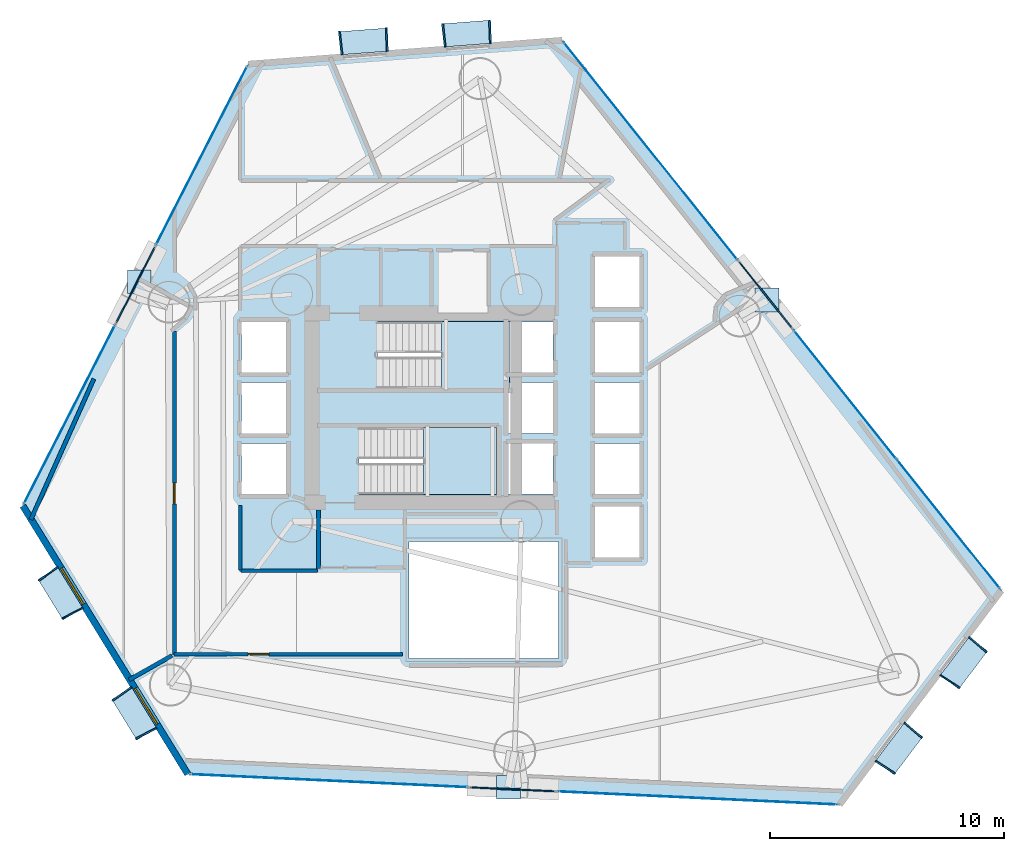
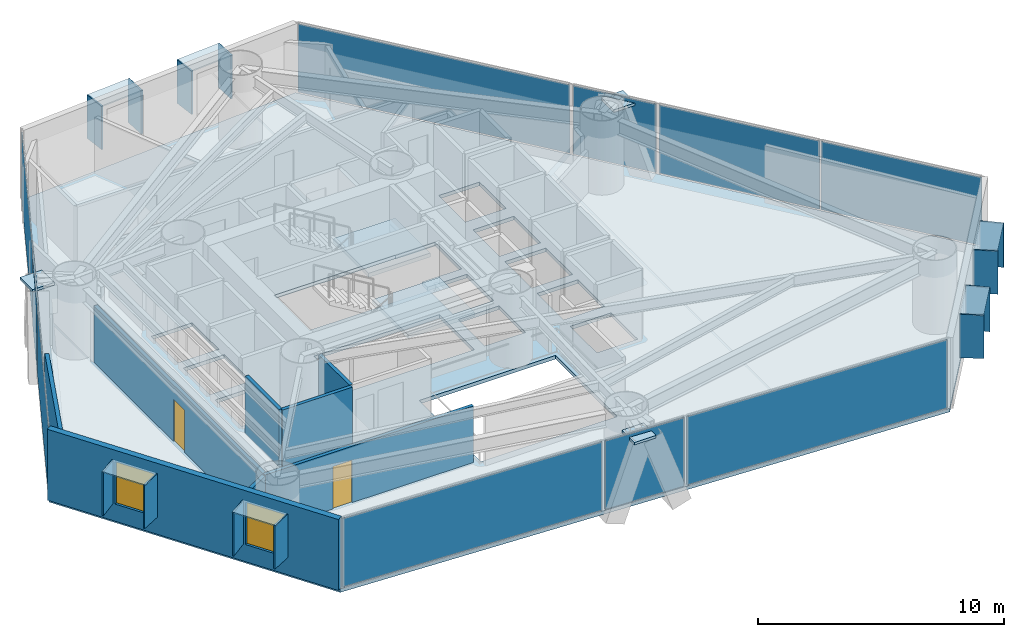
# One storey, part 16 of 23: 31 plates, 8 walls, 3 slabs, 2 doors, 2 windows, 4 openings, 11 elements without a shape of their own.
"""IFC4 building model written with IfcOpenShell, lengths in metres."""

from ifc_helpers import new_model, si_unit, direction, frame, frame_2d, origin, origin_2d, place, context, subcontext, project, spatial, polyline, rectangle, outline, extrude, material, layer, layer_set, type_object, element, fill, aggregate, save


model = new_model("IFC4")

# Units and contexts
model_context = context("Model", 3, precision=1e-05, world=origin(), true_north=direction((0.0, 1.0)))
body_context = subcontext(model_context, "Body", "Model", "MODEL_VIEW")
ifc_project = project(units=[si_unit("LENGTHUNIT", "METRE"), si_unit("AREAUNIT", "SQUARE_METRE"), si_unit("VOLUMEUNIT", "CUBIC_METRE"), si_unit("PLANEANGLEUNIT", "RADIAN"), si_unit("MASSUNIT", "GRAM", prefix="KILO")], contexts=[model_context])

# Site, building, storey
site_placement = place(None, origin())
site = spatial("IfcSite", under=ifc_project, at=site_placement, CompositionType="ELEMENT")
building_placement = place(site_placement, origin())
building = spatial("IfcBuilding", under=site, at=building_placement, Name="Qianvela Tower", CompositionType="ELEMENT")
storey_placement = place(building_placement, frame((0.0, 0.0, 36.800048828125)))
storey = spatial("IfcBuildingStorey", under=building, at=storey_placement, Name="L08", CompositionType="ELEMENT", Elevation=36.800048828125)

# Curtain wall, plate
ifc_material_1 = material(Name="Anodised Architectural Aluminium and Insulated Spandrel Panel", Category="aluminium")
ifc_layer_1 = layer(ifc_material_1, 0.179931640625)
ifc_layer_set_1 = layer_set([ifc_layer_1], Name="Anodised Architectural Aluminium and Insulated Spandrel Panel")
curtain_wall_type_1 = type_object("IfcCurtainWallType", Name="CW-BRACEBAY", PredefinedType="USERDEFINED", material=ifc_layer_set_1)
curtain_wall_1_placement = place(storey_placement, origin())
curtain_wall_1 = element("IfcCurtainWall", 1, at=curtain_wall_1_placement, inside=storey, type_object=curtain_wall_type_1, Name="L08 CW-BRACEBAY Curtain Wall 02B", ObjectType="CURTAIN_WALL_SYSTEM", PredefinedType="USERDEFINED")
ifc_material_2 = material(Name="Insulated Aluminium Spandrel Panel with Mineral-Wool Backpan", Category="aluminium")
ifc_layer_2 = layer(ifc_material_2, 0.06005859375)
ifc_layer_set_2 = layer_set([ifc_layer_2], Name="Insulated Aluminium Spandrel Panel with Mineral-Wool Backpan")
plate_type_1 = type_object("IfcPlateType", Name="CW-BRACEBAY-PNL", PredefinedType="CURTAIN_PANEL", material=ifc_layer_set_2)
plate_1_placement = place(storey_placement, frame((48.84326171875, 33.522705078125, 0.06494140625), z_axis=(0.0, 0.0, 1.0), x_axis=(-0.623976080614, 0.781443440577, 0.0)))
plate_1 = element("IfcPlate", 2, at=plate_1_placement, type_object=plate_type_1, Name="CW-9 panel 1.1", PredefinedType="CURTAIN_PANEL", context=body_context, shape_type="SweptSolid", body=[
    extrude(rectangle(XDim=3.619873046875, YDim=0.06005859375, at=origin_2d()), origin(), (0.0, 0.0, 1.0), 3.389892578125),
])
aggregate(curtain_wall_1, [plate_1])

curtain_wall_2_placement = place(storey_placement, origin())
curtain_wall_2 = element("IfcCurtainWall", 3, at=curtain_wall_2_placement, inside=storey, type_object=curtain_wall_type_1, Name="L08 CW-BRACEBAY Curtain Wall 04B", ObjectType="CURTAIN_WALL_SYSTEM", PredefinedType="USERDEFINED")
plate_2_placement = place(storey_placement, frame((21.912841796875, 33.95654296875, 0.06494140625), z_axis=(0.0, 0.0, 1.0), x_axis=(-0.454611538324, -0.890689816504, 0.0)))
plate_2 = element("IfcPlate", 4, at=plate_2_placement, type_object=plate_type_1, Name="CW-9 panel 1.1", PredefinedType="CURTAIN_PANEL", context=body_context, shape_type="SweptSolid", body=[
    extrude(rectangle(XDim=3.6201171875, YDim=0.06005859375, at=origin_2d()), origin(), (0.0, 0.0, 1.0), 3.389892578125),
])
aggregate(curtain_wall_2, [plate_2])

curtain_wall_3_placement = place(storey_placement, origin())
curtain_wall_3 = element("IfcCurtainWall", 5, at=curtain_wall_3_placement, inside=storey, type_object=curtain_wall_type_1, Name="L08 CW-BRACEBAY Curtain Wall 06B", ObjectType="CURTAIN_WALL_SYSTEM", PredefinedType="USERDEFINED")
plate_3_placement = place(storey_placement, frame((38.041259765625, 12.401611328125, 0.06494140625), z_axis=(0.0, 0.0, 1.0), x_axis=(0.998900483264, -0.046880961336, 0.0)))
plate_3 = element("IfcPlate", 6, at=plate_3_placement, type_object=plate_type_1, Name="CW-9 panel 1.1", PredefinedType="CURTAIN_PANEL", context=body_context, shape_type="SweptSolid", body=[
    extrude(rectangle(XDim=3.619873046875, YDim=0.06005859375, at=origin_2d()), origin(), (0.0, 0.0, 1.0), 3.389892578125),
])
aggregate(curtain_wall_3, [plate_3])

# Curtain wall, plates
ifc_material_3 = material(Name="Anodised Architectural Aluminium and Low-E Glass", Category="aluminium")
ifc_layer_3 = layer(ifc_material_3, 0.179931640625)
ifc_layer_set_3 = layer_set([ifc_layer_3], Name="Anodised Architectural Aluminium and Low-E Glass")
curtain_wall_type_2 = type_object("IfcCurtainWallType", Name="CW-COLIV-Z12", PredefinedType="USERDEFINED", material=ifc_layer_set_3)
curtain_wall_4_placement = place(storey_placement, origin())
curtain_wall_4 = element("IfcCurtainWall", 7, at=curtain_wall_4_placement, inside=storey, type_object=curtain_wall_type_2, Name="L08 CW-COLIV-Z12 Curtain Wall 02A", ObjectType="CURTAIN_WALL_SYSTEM", PredefinedType="USERDEFINED")
ifc_material_4 = material(Name="Double-Silver Low-E Insulated Glass", Category="glass")
ifc_layer_4 = layer(ifc_material_4, 0.030029296875)
ifc_layer_set_4 = layer_set([ifc_layer_4], Name="Double-Silver Low-E Insulated Glass")
plate_type_2 = type_object("IfcPlateType", Name="CW-COLIV-Z12-PNL", PredefinedType="CURTAIN_PANEL", material=ifc_layer_set_4)
plate_4_placement = place(storey_placement, frame((56.656982421875, 23.737060546875, 0.06494140625), z_axis=(0.0, 0.0, 1.0), x_axis=(-0.623975250722, 0.781444103238, 0.0)))
plate_4 = element("IfcPlate", 8, at=plate_4_placement, type_object=plate_type_2, Name="CW-3 panel 1.1", PredefinedType="CURTAIN_PANEL", context=body_context, shape_type="SweptSolid", body=[
    extrude(rectangle(XDim=7.0048828125, YDim=0.030029296875, at=origin_2d()), origin(), (0.0, 0.0, 1.0), 3.389892578125),
])
plate_5_placement = place(storey_placement, frame((52.242431640625, 29.265869140625, 0.06494140625), z_axis=(0.0, 0.0, 1.0), x_axis=(-0.623975250722, 0.781444103238, 0.0)))
plate_5 = element("IfcPlate", 9, at=plate_5_placement, type_object=plate_type_2, Name="CW-3 panel 2.1", PredefinedType="CURTAIN_PANEL", context=body_context, shape_type="SweptSolid", body=[
    extrude(rectangle(XDim=7.0048828125, YDim=0.030029296875, at=origin_2d()), origin(), (0.0, 0.0, 1.0), 3.389892578125),
])
aggregate(curtain_wall_4, [plate_4, plate_5])

# Curtain wall, plate
curtain_wall_5_placement = place(storey_placement, origin())
curtain_wall_5 = element("IfcCurtainWall", 10, at=curtain_wall_5_placement, inside=storey, type_object=curtain_wall_type_2, Name="L08 CW-COLIV-Z12 Curtain Wall 02C", ObjectType="CURTAIN_WALL_SYSTEM", PredefinedType="USERDEFINED")
plate_6_placement = place(storey_placement, frame((43.926025390625, 39.680908203125, 0.06494140625), z_axis=(0.0, 0.0, 1.0), x_axis=(-0.623974926706, 0.781444361962, 0.0)))
plate_6 = element("IfcPlate", 11, at=plate_6_placement, type_object=plate_type_2, Name="CW-3 panel 1.1", PredefinedType="CURTAIN_PANEL", context=body_context, shape_type="SweptSolid", body=[
    extrude(rectangle(XDim=11.871337890625, YDim=0.030029296875, at=origin_2d()), origin(), (0.0, 0.0, 1.0), 3.389892578125),
])
aggregate(curtain_wall_5, [plate_6])

curtain_wall_6_placement = place(storey_placement, origin())
curtain_wall_6 = element("IfcCurtainWall", 12, at=curtain_wall_6_placement, inside=storey, type_object=curtain_wall_type_2, Name="L08 CW-COLIV-Z12 Curtain Wall 04A", ObjectType="CURTAIN_WALL_SYSTEM", PredefinedType="USERDEFINED")
plate_7_placement = place(storey_placement, frame((24.736083984375, 39.48779296875, 0.06494140625), z_axis=(0.0, 0.0, 1.0), x_axis=(-0.454612281008, -0.890689437434, 0.0)))
plate_7 = element("IfcPlate", 13, at=plate_7_placement, type_object=plate_type_2, Name="CW-3 panel 1.1", PredefinedType="CURTAIN_PANEL", context=body_context, shape_type="SweptSolid", body=[
    extrude(rectangle(XDim=8.530029296875, YDim=0.030029296875, at=origin_2d()), origin(), (0.0, 0.0, 1.0), 3.389892578125),
])
aggregate(curtain_wall_6, [plate_7])

curtain_wall_7_placement = place(storey_placement, origin())
curtain_wall_7 = element("IfcCurtainWall", 14, at=curtain_wall_7_placement, inside=storey, type_object=curtain_wall_type_2, Name="L08 CW-COLIV-Z12 Curtain Wall 04C", ObjectType="CURTAIN_WALL_SYSTEM", PredefinedType="USERDEFINED")
plate_8_placement = place(storey_placement, frame((19.08935546875, 28.4248046875, 0.06494140625), z_axis=(0.0, 0.0, 1.0), x_axis=(-0.454620287448, -0.890685350863, 0.0)))
plate_8 = element("IfcPlate", 15, at=plate_8_placement, type_object=plate_type_2, Name="CW-3 panel 1.1", PredefinedType="CURTAIN_PANEL", context=body_context, shape_type="SweptSolid", body=[
    extrude(rectangle(XDim=8.531494140625, YDim=0.030029296875, at=origin_2d()), origin(), (0.0, 0.0, 1.0), 3.389892578125),
])
aggregate(curtain_wall_7, [plate_8])

curtain_wall_8_placement = place(storey_placement, origin())
curtain_wall_8 = element("IfcCurtainWall", 16, at=curtain_wall_8_placement, inside=storey, type_object=curtain_wall_type_2, Name="L08 CW-COLIV-Z12 Curtain Wall 06A", ObjectType="CURTAIN_WALL_SYSTEM", PredefinedType="USERDEFINED")
plate_9_placement = place(storey_placement, frame((30.179931640625, 12.7705078125, 0.06494140625), z_axis=(0.0, 0.0, 1.0), x_axis=(0.998900509164, -0.046880409477, 0.0)))
plate_9 = element("IfcPlate", 17, at=plate_9_placement, type_object=plate_type_2, Name="CW-3 panel 1.1", PredefinedType="CURTAIN_PANEL", context=body_context, shape_type="SweptSolid", body=[
    extrude(rectangle(XDim=11.85009765625, YDim=0.030029296875, at=origin_2d()), origin(), (0.0, 0.0, 1.0), 3.389892578125),
])
aggregate(curtain_wall_8, [plate_9])

curtain_wall_9_placement = place(storey_placement, origin())
curtain_wall_9 = element("IfcCurtainWall", 18, at=curtain_wall_9_placement, inside=storey, type_object=curtain_wall_type_2, Name="L08 CW-COLIV-Z12 Curtain Wall 06C", ObjectType="CURTAIN_WALL_SYSTEM", PredefinedType="USERDEFINED")
plate_10_placement = place(storey_placement, frame((45.931640625, 12.03125, 0.06494140625), z_axis=(0.0, 0.0, 1.0), x_axis=(0.998900260929, -0.046885698408, 0.0)))
plate_10 = element("IfcPlate", 19, at=plate_10_placement, type_object=plate_type_2, Name="CW-3 panel 1.1", PredefinedType="CURTAIN_PANEL", context=body_context, shape_type="SweptSolid", body=[
    extrude(rectangle(XDim=11.908447265625, YDim=0.030029296875, at=origin_2d()), origin(), (0.0, 0.0, 1.0), 3.389892578125),
])
aggregate(curtain_wall_9, [plate_10])

# Plates
ifc_material_5 = material(Name="Steel Q420GJC", Category="steel")
ifc_layer_5 = layer(ifc_material_5, 0.1298828125)
ifc_layer_set_5 = layer_set([ifc_layer_5], Name="Steel Q420GJC")
plate_type_3 = type_object("IfcPlateType", Name="PT-ENDCAP-130", PredefinedType="USERDEFINED", material=ifc_layer_set_5)
for number, where, z_axis, x_axis, name in (
    (20, (48.90625, 33.315673828125, 3.159423828125), (0.0, 0.0, 1.0), (1.0, 0.0, 0.0), "L08 Hollow Section End Cap Plate B"),
    (21, (22.07470703125, 34.097412109375, 3.159423828125), (0.0, 0.0, 1.0), (1.0, 0.0, 0.0), "L08 Hollow Section End Cap Plate B"),
    (22, (37.84814453125, 12.49072265625, 3.159423828125), (0.0, 0.0, 1.0), (1.0, 0.0, 0.0), "L08 Hollow Section End Cap Plate B"),
):
    element("IfcPlate", number, at=place(storey_placement, frame(where, z_axis=z_axis, x_axis=x_axis)), inside=storey, type_object=plate_type_3, Name=name, ObjectType="END_CAP", PredefinedType="USERDEFINED", context=body_context, shape_type="SweptSolid", body=[
        extrude(rectangle(XDim=1.02001953125, YDim=1.02001953125, at=origin_2d()), origin(), (0.0, 0.0, 1.0), 0.1298828125),
    ])

# Slab
ifc_material_6 = material(Name="Concrete C40", Category="concrete")
ifc_layer_6 = layer(ifc_material_6, 0.179931640625)
ifc_layer_set_6 = layer_set([ifc_layer_6], Name="Concrete C40")
slab_type_1 = type_object("IfcSlabType", Name="SL-FLOOR-180", PredefinedType="FLOOR", material=ifc_layer_set_6)
slab_1_placement = place(storey_placement, frame((0.0, 0.0, -0.179931640625)))
element("IfcSlab", 23, at=slab_1_placement, inside=storey, type_object=slab_type_1, Name="L08 Composite Structural Floor Slab", PredefinedType="FLOOR", context=body_context, shape_type="SweptSolid", body=[
    extrude(outline(polyline([(51.999267578125, 11.74658203125), (58.91748046875, 20.90625), (40.1474609375, 44.4130859375), (26.7294921875, 43.393310546875), (17.095703125, 24.5185546875), (24.1416015625, 13.053955078125), (51.999267578125, 11.74658203125)]), holes=[polyline([(40.0, 23.0), (33.60009765625, 23.0), (33.60009765625, 18.0), (40.0, 18.0), (40.0, 23.0)]), polyline([(28.360107421875, 25.02001953125), (28.360107421875, 27.179931640625), (26.43994140625, 27.179931640625), (26.43994140625, 25.02001953125), (28.360107421875, 25.02001953125)]), polyline([(37.35009765625, 25.0), (37.35009765625, 27.860107421875), (31.469970703125, 27.860107421875), (31.469970703125, 25.0), (37.35009765625, 25.0)]), polyline([(28.360107421875, 27.6201171875), (28.360107421875, 29.780029296875), (26.43994140625, 29.780029296875), (26.43994140625, 27.6201171875), (28.360107421875, 27.6201171875)]), polyline([(37.89990234375, 32.3798828125), (37.89990234375, 32.39990234375), (32.25, 32.39990234375), (32.25, 29.5400390625), (37.840087890625, 29.5400390625), (37.840087890625, 27.6201171875), (39.760009765625, 27.6201171875), (39.760009765625, 29.780029296875), (37.89990234375, 29.780029296875), (37.89990234375, 30.219970703125), (39.760009765625, 30.219970703125), (39.760009765625, 32.3798828125), (37.89990234375, 32.3798828125)]), polyline([(28.360107421875, 30.219970703125), (28.360107421875, 32.3798828125), (26.43994140625, 32.3798828125), (26.43994140625, 30.219970703125), (28.360107421875, 30.219970703125)]), polyline([(43.4599609375, 24.47998046875), (41.5400390625, 24.47998046875), (41.5400390625, 22.320068359375), (43.4599609375, 22.320068359375), (43.4599609375, 24.47998046875)]), polyline([(39.760009765625, 25.02001953125), (39.760009765625, 27.179931640625), (37.840087890625, 27.179931640625), (37.840087890625, 25.02001953125), (39.760009765625, 25.02001953125)]), polyline([(43.4599609375, 25.02001953125), (43.4599609375, 27.179931640625), (41.5400390625, 27.179931640625), (41.5400390625, 25.02001953125), (43.4599609375, 25.02001953125)]), polyline([(43.4599609375, 27.6201171875), (43.4599609375, 29.780029296875), (41.5400390625, 29.780029296875), (41.5400390625, 27.6201171875), (43.4599609375, 27.6201171875)]), polyline([(43.4599609375, 30.219970703125), (43.4599609375, 32.3798828125), (41.5400390625, 32.3798828125), (41.5400390625, 30.219970703125), (43.4599609375, 30.219970703125)]), polyline([(43.4599609375, 33.02001953125), (43.4599609375, 35.179931640625), (41.5400390625, 35.179931640625), (41.5400390625, 33.02001953125), (43.4599609375, 33.02001953125)])]), origin(), (0.0, 0.0, 1.0), 0.179931640625),
])

# Stair, slab
ifc_material_7 = material(Name="Concrete C40", Category="concrete")
stair_type = type_object("IfcStairType", Name="ST-DOGLEG-1350-R168-N22", PredefinedType="HALF_TURN_STAIR", material=ifc_material_7)
stair_1_placement = place(storey_placement, origin())
stair_1 = element("IfcStair", 24, at=stair_1_placement, inside=storey, type_object=stair_type, Name="L08 Smoke-Proof Core Stair ST-1", PredefinedType="HALF_TURN_STAIR")
ifc_material_8 = material(Name="Concrete C40", Category="concrete")
ifc_layer_7 = layer(ifc_material_8, 0.199951171875)
ifc_layer_set_7 = layer_set([ifc_layer_7], Name="Concrete C40")
slab_type_2 = type_object("IfcSlabType", Name="SL-STAIR-LANDING-200", PredefinedType="LANDING", material=ifc_layer_set_7)
slab_2_placement = place(storey_placement, frame((0.0, 0.0, 1.64990234375)))
slab_2 = element("IfcSlab", 25, at=slab_2_placement, type_object=slab_type_2, Name="ST-1 landing 1", PredefinedType="LANDING", context=body_context, shape_type="SweptSolid", body=[
    extrude(outline(polyline([(35.0, 29.5400390625), (37.89990234375, 29.5400390625), (37.89990234375, 32.39990234375), (35.0, 32.39990234375), (35.0, 29.5400390625)])), origin(), (0.0, 0.0, 1.0), 0.199951171875),
])
aggregate(stair_1, [slab_2])

stair_2_placement = place(storey_placement, origin())
stair_2 = element("IfcStair", 26, at=stair_2_placement, inside=storey, type_object=stair_type, Name="L08 Smoke-Proof Core Stair ST-2", PredefinedType="HALF_TURN_STAIR")
slab_3_placement = place(storey_placement, frame((0.0, 0.0, 1.64990234375)))
slab_3 = element("IfcSlab", 27, at=slab_3_placement, type_object=slab_type_2, Name="ST-2 landing 1", PredefinedType="LANDING", context=body_context, shape_type="SweptSolid", body=[
    extrude(outline(polyline([(34.219970703125, 25.0), (37.35009765625, 25.0), (37.35009765625, 27.860107421875), (34.219970703125, 27.860107421875), (34.219970703125, 25.0)])), origin(), (0.0, 0.0, 1.0), 0.199951171875),
])
aggregate(stair_2, [slab_3])

# Plates
ifc_material_9 = material(Name="Vitrified Architectural Terracotta Panel", Category="masonry")
ifc_layer_8 = layer(ifc_material_9, 0.06005859375)
ifc_layer_set_8 = layer_set([ifc_layer_8], Name="Vitrified Architectural Terracotta Panel")
plate_type_4 = type_object("IfcPlateType", Name="TERRACOTTA-SUNSHADE-HOOD-FOLD-A", PredefinedType="USERDEFINED", material=ifc_layer_set_8)
for number, where, z_axis, x_axis, name in (
    (28, (54.549560546875, 14.1357421875, 2.9599609375), (0.0, 0.0, 1.0), (0.602692804778, 0.797973297215, 0.0), "L08 Terracotta Sunshade Hood FOLD-A"),
    (29, (57.316650390625, 17.7998046875, 2.9599609375), (0.0, 0.0, 1.0), (0.602692804778, 0.797973297215, 0.0), "L08 Terracotta Sunshade Hood FOLD-A"),
    (30, (18.702392578125, 20.767578125, 2.9599609375), (0.0, 0.0, 1.0), (0.523599350611, -0.851964623702, 0.0), "L08 Terracotta Sunshade Hood FOLD-A"),
    (31, (21.85595703125, 15.636474609375, 2.9599609375), (0.0, 0.0, 1.0), (0.523599350611, -0.851964623702, 0.0), "L08 Terracotta Sunshade Hood FOLD-A"),
):
    element("IfcPlate", number, at=place(storey_placement, frame(where, z_axis=z_axis, x_axis=x_axis)), inside=storey, type_object=plate_type_4, Name=name, ObjectType="SUNSHADE", PredefinedType="USERDEFINED", context=body_context, shape_type="SweptSolid", body=[
        extrude(rectangle(XDim=2.0400390625, YDim=0.989990234375, at=origin_2d()), origin(), (0.0, 0.0, 1.0), 0.06005859375),
    ])
ifc_material_10 = material(Name="Vitrified Architectural Terracotta Panel", Category="masonry")
ifc_layer_9 = layer(ifc_material_10, 0.070068359375)
ifc_layer_set_9 = layer_set([ifc_layer_9], Name="Vitrified Architectural Terracotta Panel")
plate_type_5 = type_object("IfcPlateType", Name="TERRACOTTA-SUNSHADE-HOOD-FOLD-C", PredefinedType="USERDEFINED", material=ifc_layer_set_9)
for number, where, z_axis, x_axis, name in (
    (32, (36.076904296875, 44.700439453125, 2.9599609375), (0.0, 0.0, 1.0), (-0.997124879887, -0.07577581349, 0.0), "L08 Terracotta Sunshade Hood FOLD-C"),
    (33, (31.6669921875, 44.365234375, 2.9599609375), (0.0, 0.0, 1.0), (-0.997124879887, -0.07577581349, 0.0), "L08 Terracotta Sunshade Hood FOLD-C"),
):
    element("IfcPlate", number, at=place(storey_placement, frame(where, z_axis=z_axis, x_axis=x_axis)), inside=storey, type_object=plate_type_5, Name=name, ObjectType="SUNSHADE", PredefinedType="USERDEFINED", context=body_context, shape_type="SweptSolid", body=[
        extrude(rectangle(XDim=2.0400390625, YDim=0.989990234375, at=origin_2d()), origin(), (0.0, 0.0, 1.0), 0.06005859375),
    ])
ifc_material_11 = material(Name="Vitrified Architectural Terracotta Side Fin Panel", Category="masonry")
ifc_layer_10 = layer(ifc_material_11, 0.06494140625)
ifc_layer_set_10 = layer_set([ifc_layer_10], Name="Vitrified Architectural Terracotta Side Fin Panel")
plate_type_6 = type_object("IfcPlateType", Name="TERRACOTTA-SUNSHADE-STRUT-FOLD-A", PredefinedType="USERDEFINED", material=ifc_layer_set_10)
for number, where, z_axis, x_axis, name in (
    (34, (53.952880859375, 13.345703125, 0.85009765625), (0.0, 0.0, 1.0), (0.545560872041, 0.838071199182, 0.0), "L08 Terracotta Sunshade Side Fin HL FOLD-A"),
    (35, (55.14599609375, 14.92578125, 0.85009765625), (0.0, 0.0, 1.0), (0.656888478752, 0.753987749557, 0.0), "L08 Terracotta Sunshade Side Fin HR FOLD-A"),
    (36, (56.72021484375, 17.009765625, 0.85009765625), (0.0, 0.0, 1.0), (0.545560872041, 0.838071199182, 0.0), "L08 Terracotta Sunshade Side Fin HL FOLD-A"),
    (37, (57.913330078125, 18.58984375, 0.85009765625), (0.0, 0.0, 1.0), (0.656888478752, 0.753987749557, 0.0), "L08 Terracotta Sunshade Side Fin HR FOLD-A"),
    (38, (18.18408203125, 21.611083984375, 0.85009765625), (0.0, 0.0, 1.0), (0.581753936813, -0.813364836345, 0.0), "L08 Terracotta Sunshade Side Fin HL FOLD-A"),
    (39, (19.220703125, 19.924072265625, 0.85009765625), (0.0, 0.0, 1.0), (0.462893841005, -0.886413725052, 0.0), "L08 Terracotta Sunshade Side Fin HR FOLD-A"),
    (40, (21.337646484375, 16.47998046875, 0.85009765625), (0.0, 0.0, 1.0), (0.581753936813, -0.813364836345, 0.0), "L08 Terracotta Sunshade Side Fin HL FOLD-A"),
    (41, (22.374267578125, 14.79296875, 0.85009765625), (0.0, 0.0, 1.0), (0.462893841005, -0.886413725052, 0.0), "L08 Terracotta Sunshade Side Fin HR FOLD-A"),
):
    element("IfcPlate", number, at=place(storey_placement, frame(where, z_axis=z_axis, x_axis=x_axis)), inside=storey, type_object=plate_type_6, Name=name, ObjectType="SUNSHADE", PredefinedType="USERDEFINED", context=body_context, shape_type="SweptSolid", body=[
        extrude(rectangle(XDim=0.06494140625, YDim=1.010009765625, at=origin_2d()), origin(), (0.0, 0.0, 1.0), 2.159912109375),
    ])
ifc_material_12 = material(Name="Vitrified Architectural Terracotta Side Fin Panel", Category="masonry")
ifc_layer_11 = layer(ifc_material_12, 0.074951171875)
ifc_layer_set_11 = layer_set([ifc_layer_11], Name="Vitrified Architectural Terracotta Side Fin Panel")
plate_type_7 = type_object("IfcPlateType", Name="TERRACOTTA-SUNSHADE-STRUT-FOLD-C", PredefinedType="USERDEFINED", material=ifc_layer_set_11)
for number, where, z_axis, x_axis, name in (
    (42, (37.064208984375, 44.775390625, 0.85009765625), (0.0, 0.0, 1.0), (-0.999161996105, -0.040930496454, 0.0), "L08 Terracotta Sunshade Side Fin HL FOLD-C"),
    (43, (35.08984375, 44.62548828125, 0.85009765625), (0.0, 0.0, 1.0), (-0.993872920599, -0.110528809369, 0.0), "L08 Terracotta Sunshade Side Fin HR FOLD-C"),
    (44, (32.654296875, 44.4404296875, 0.85009765625), (0.0, 0.0, 1.0), (-0.999161996105, -0.040930496454, 0.0), "L08 Terracotta Sunshade Side Fin HL FOLD-C"),
    (45, (30.679931640625, 44.290283203125, 0.85009765625), (0.0, 0.0, 1.0), (-0.993872920599, -0.110528809369, 0.0), "L08 Terracotta Sunshade Side Fin HR FOLD-C"),
):
    element("IfcPlate", number, at=place(storey_placement, frame(where, z_axis=z_axis, x_axis=x_axis)), inside=storey, type_object=plate_type_7, Name=name, ObjectType="SUNSHADE", PredefinedType="USERDEFINED", context=body_context, shape_type="SweptSolid", body=[
        extrude(rectangle(XDim=0.074951171875, YDim=1.010009765625, at=origin_2d()), origin(), (0.0, 0.0, 1.0), 2.159912109375),
    ])

# Wall, openings, windows
ifc_material_13 = material(Name="Terracotta Cladding on Concrete C40", Category="masonry")
ifc_layer_12 = layer(ifc_material_13, 0.280029296875)
ifc_layer_set_12 = layer_set([ifc_layer_12], Name="Terracotta Cladding on Concrete C40")
wall_type_1 = type_object("IfcWallType", Name="TERRACOTTA-WALL-280", PredefinedType="SOLIDWALL", material=ifc_layer_set_12)
wall_1_placement = place(storey_placement, frame((17.095703125, 24.5185546875, 0.0), z_axis=(0.0, 0.0, 1.0), x_axis=(0.523599306322, -0.851964650921, 0.0)))
wall_1 = element("IfcWall", 46, at=wall_1_placement, inside=storey, type_object=wall_type_1, Name="L08 Terracotta Chamfer Facet Wall 5", PredefinedType="SOLIDWALL", context=body_context, shape_type="SweptSolid", body=[
    extrude(rectangle(XDim=13.45654296875, YDim=0.280029296875, at=frame_2d((6.728271484375, 0.0))), origin(), (0.0, 0.0, 1.0), 3.52001953125),
])
opening_1_placement = place(wall_1_placement, frame((3.136962890625, 0.0, 0.85009765625)))
opening_1 = element("IfcOpeningElement", 47, at=opening_1_placement, cuts=wall_1, Name="Opening W-01", PredefinedType="OPENING", context=body_context, shape_type="SweptSolid", body=[
    extrude(rectangle(XDim=1.800048828125, YDim=2.10009765625, at=frame_2d((0.89990234375, 1.050048828125))), frame((0.0, 0.14990234375, 0.0), z_axis=(0.0, -1.0, 0.0), x_axis=(1.0, 0.0, 0.0)), (0.0, 0.0, 1.0), 0.300048828125),
])
opening_2_placement = place(wall_1_placement, frame((9.15966796875, 0.0, 0.85009765625)))
opening_2 = element("IfcOpeningElement", 48, at=opening_2_placement, cuts=wall_1, Name="Opening W-01", PredefinedType="OPENING", context=body_context, shape_type="SweptSolid", body=[
    extrude(rectangle(XDim=1.800048828125, YDim=2.10009765625, at=frame_2d((0.89990234375, 1.050048828125))), frame((0.0, 0.14990234375, 0.0), z_axis=(0.0, -1.0, 0.0), x_axis=(1.0, 0.0, 0.0)), (0.0, 0.0, 1.0), 0.300048828125),
])
ifc_material_14 = material(Name="Thermally Broken Aluminium and Low-E Glass", Category="aluminium")
window_type = type_object("IfcWindowType", Name="WIN-TC-1800x2100", PartitioningType="DOUBLE_PANEL_VERTICAL", PredefinedType="WINDOW", material=ifc_material_14)
window_1_placement = place(opening_1_placement, origin())
window_1 = element("IfcWindow", 49, at=window_1_placement, inside=storey, type_object=window_type, Name="L08 Chamfer Facet Window 5.1", OverallHeight=2.10009765625, OverallWidth=1.800048828125, PartitioningType="SINGLE_PANEL", PredefinedType="WINDOW", context=body_context, shape_type="SweptSolid", body=[
    extrude(rectangle(XDim=1.800048828125, YDim=2.10009765625, at=frame_2d((0.89990234375, 1.050048828125))), frame((0.0, 0.030029296875, 0.0), z_axis=(0.0, -1.0, 0.0), x_axis=(1.0, 0.0, 0.0)), (0.0, 0.0, 1.0), 0.06005859375),
])
fill(opening_1, window_1)
window_2_placement = place(opening_2_placement, origin())
window_2 = element("IfcWindow", 50, at=window_2_placement, inside=storey, type_object=window_type, Name="L08 Chamfer Facet Window 5.2", OverallHeight=2.10009765625, OverallWidth=1.800048828125, PartitioningType="SINGLE_PANEL", PredefinedType="WINDOW", context=body_context, shape_type="SweptSolid", body=[
    extrude(rectangle(XDim=1.800048828125, YDim=2.10009765625, at=frame_2d((0.89990234375, 1.050048828125))), frame((0.0, 0.030029296875, 0.0), z_axis=(0.0, -1.0, 0.0), x_axis=(1.0, 0.0, 0.0)), (0.0, 0.0, 1.0), 0.06005859375),
])
fill(opening_2, window_2)

# Walls
ifc_material_15 = material(Name="Fire-Rated Gypsum and Concrete Block", Category="concrete")
ifc_layer_13 = layer(ifc_material_15, 0.159912109375)
ifc_layer_set_13 = layer_set([ifc_layer_13], Name="Fire-Rated Gypsum and Concrete Block")
wall_type_2 = type_object("IfcWallType", Name="WT-CORR-160", PredefinedType="PARTITIONING", material=ifc_layer_set_13)
wall_2_placement = place(storey_placement, frame((29.73095703125, 21.85009765625, 0.0), z_axis=(0.0, 0.0, 1.0), x_axis=(0.0, 1.0, 0.0)))
element("IfcWall", 51, at=wall_2_placement, inside=storey, type_object=wall_type_2, Name="L08 Partition 6", PredefinedType="PARTITIONING", context=body_context, shape_type="SweptSolid", body=[
    extrude(rectangle(XDim=2.491943359375, YDim=0.159912109375, at=frame_2d((1.24609375, 0.0))), origin(), (0.0, 0.0, 1.0), 2.83984375),
])
wall_3_placement = place(storey_placement, frame((26.388916015625, 24.530517578125, 0.0), z_axis=(0.0, 0.0, 1.0), x_axis=(0.0, -1.0, 0.0)))
element("IfcWall", 52, at=wall_3_placement, inside=storey, type_object=wall_type_2, Name="L08 Partition 49", PredefinedType="PARTITIONING", context=body_context, shape_type="SweptSolid", body=[
    extrude(rectangle(XDim=2.75048828125, YDim=0.159912109375, at=frame_2d((1.375244140625, 0.0))), origin(), (0.0, 0.0, 1.0), 2.83984375),
])
wall_4_placement = place(storey_placement, frame((26.419921875, 21.7490234375, 0.0), z_axis=(0.0, 0.0, 1.0), x_axis=(1.0, 0.0, 0.0)))
element("IfcWall", 53, at=wall_4_placement, inside=storey, type_object=wall_type_2, Name="L08 Partition 50 seg 1", PredefinedType="PARTITIONING", context=body_context, shape_type="SweptSolid", body=[
    extrude(rectangle(XDim=3.280029296875, YDim=0.159912109375, at=frame_2d((1.64013671875, 0.0))), origin(), (0.0, 0.0, 1.0), 2.83984375),
])

# Wall, opening, door
wall_5_placement = place(storey_placement, frame((33.320068359375, 18.180908203125, 0.0), z_axis=(0.0, 0.0, 1.0), x_axis=(-1.0, 0.0, 0.0)))
wall_5 = element("IfcWall", 54, at=wall_5_placement, inside=storey, type_object=wall_type_2, Name="L08 Partition 51", PredefinedType="PARTITIONING", context=body_context, shape_type="SweptSolid", body=[
    extrude(rectangle(XDim=9.77001953125, YDim=0.159912109375, at=frame_2d((4.885009765625, 0.0))), origin(), (0.0, 0.0, 1.0), 2.7978515625),
])
opening_3_placement = place(wall_5_placement, frame((5.695068359375, 0.0, 0.0)))
opening_3 = element("IfcOpeningElement", 55, at=opening_3_placement, cuts=wall_5, Name="Opening D-KT1", PredefinedType="OPENING", context=body_context, shape_type="SweptSolid", body=[
    extrude(rectangle(XDim=0.89990234375, YDim=2.10009765625, at=frame_2d((0.449951171875, 1.050048828125))), frame((0.0, 0.08984375, 0.0), z_axis=(0.0, -1.0, 0.0), x_axis=(1.0, 0.0, 0.0)), (0.0, 0.0, 1.0), 0.179931640625),
])
ifc_material_16 = material(Name="Glazed Timber Kitchen Door", Category="wood")
door_type = type_object("IfcDoorType", Name="DT-KITCH-900", OperationType="NOTDEFINED", PredefinedType="DOOR", material=ifc_material_16)
door_1_placement = place(opening_3_placement, origin())
door_1 = element("IfcDoor", 56, at=door_1_placement, inside=storey, type_object=door_type, Name="L08 Door Student Tea Pantry L08-02 to L08 Floor Corridor", OperationType="SINGLE_SWING_LEFT", OverallHeight=2.10009765625, OverallWidth=0.89990234375, PredefinedType="DOOR", context=body_context, shape_type="SweptSolid", body=[
    extrude(rectangle(XDim=0.89990234375, YDim=2.10009765625, at=frame_2d((0.449951171875, 1.050048828125))), frame((0.0, 0.02490234375, 0.0), z_axis=(0.0, -1.0, 0.0), x_axis=(1.0, 0.0, 0.0)), (0.0, 0.0, 1.0), 0.050048828125),
])
fill(opening_3, door_1)

wall_6_placement = place(storey_placement, frame((23.5810546875, 18.14990234375, 0.0), z_axis=(0.0, 0.0, 1.0), x_axis=(0.0, 1.0, 0.0)))
wall_6 = element("IfcWall", 57, at=wall_6_placement, inside=storey, type_object=wall_type_2, Name="L08 Partition 52", PredefinedType="PARTITIONING", context=body_context, shape_type="SweptSolid", body=[
    extrude(rectangle(XDim=13.810302734375, YDim=0.159912109375, at=frame_2d((6.9052734375, 0.0))), origin(), (0.0, 0.0, 1.0), 2.7978515625),
])
opening_4_placement = place(wall_6_placement, frame((6.455078125, 0.0, 0.0)))
opening_4 = element("IfcOpeningElement", 58, at=opening_4_placement, cuts=wall_6, Name="Opening D-KT1", PredefinedType="OPENING", context=body_context, shape_type="SweptSolid", body=[
    extrude(rectangle(XDim=0.89990234375, YDim=2.10009765625, at=frame_2d((0.449951171875, 1.050048828125))), frame((0.0, 0.08984375, 0.0), z_axis=(0.0, -1.0, 0.0), x_axis=(1.0, 0.0, 0.0)), (0.0, 0.0, 1.0), 0.179931640625),
])
door_2_placement = place(opening_4_placement, origin())
door_2 = element("IfcDoor", 59, at=door_2_placement, inside=storey, type_object=door_type, Name="L08 Door Shared Communal Kitchen L08-01 to L08 Floor Corridor", OperationType="SINGLE_SWING_RIGHT", OverallHeight=2.10009765625, OverallWidth=0.89990234375, PredefinedType="DOOR", context=body_context, shape_type="SweptSolid", body=[
    extrude(rectangle(XDim=0.89990234375, YDim=2.10009765625, at=frame_2d((0.449951171875, 1.050048828125))), frame((0.0, 0.02490234375, 0.0), z_axis=(0.0, -1.0, 0.0), x_axis=(1.0, 0.0, 0.0)), (0.0, 0.0, 1.0), 0.050048828125),
])
fill(opening_4, door_2)

# Walls
ifc_material_17 = material(Name="Moisture-Resistant Acoustic Plumbing Wall")
ifc_layer_14 = layer(ifc_material_17, 0.175048828125)
ifc_layer_set_14 = layer_set([ifc_layer_14], Name="Moisture-Resistant Acoustic Plumbing Wall")
wall_type_3 = type_object("IfcWallType", Name="WT-PLUMB-175", PredefinedType="PLUMBINGWALL", material=ifc_layer_set_14)
wall_7_placement = place(storey_placement, frame((23.47509765625, 18.123779296875, 0.0), z_axis=(0.0, 0.0, 1.0), x_axis=(-0.869707412207, -0.493567641921, 0.0)))
element("IfcWall", 60, at=wall_7_placement, inside=storey, type_object=wall_type_3, Name="L08 Partition 59", PredefinedType="PLUMBINGWALL", context=body_context, shape_type="SweptSolid", body=[
    extrude(rectangle(XDim=2.108154296875, YDim=0.175048828125, at=frame_2d((1.05419921875, 0.0))), origin(), (0.0, 0.0, 1.0), 2.7978515625),
])
wall_8_placement = place(storey_placement, frame((17.439697265625, 23.92578125, 0.0), z_axis=(0.0, 0.0, 1.0), x_axis=(0.408644482841, 0.912693643367, 0.0)))
element("IfcWall", 61, at=wall_8_placement, inside=storey, type_object=wall_type_3, Name="L08 Partition 61 seg 1", PredefinedType="PLUMBINGWALL", context=body_context, shape_type="SweptSolid", body=[
    extrude(rectangle(XDim=6.594482421875, YDim=0.175048828125, at=frame_2d((3.29736328125, 0.0))), origin(), (0.0, 0.0, 1.0), 2.83984375),
])

save(model, "model.ifc")
